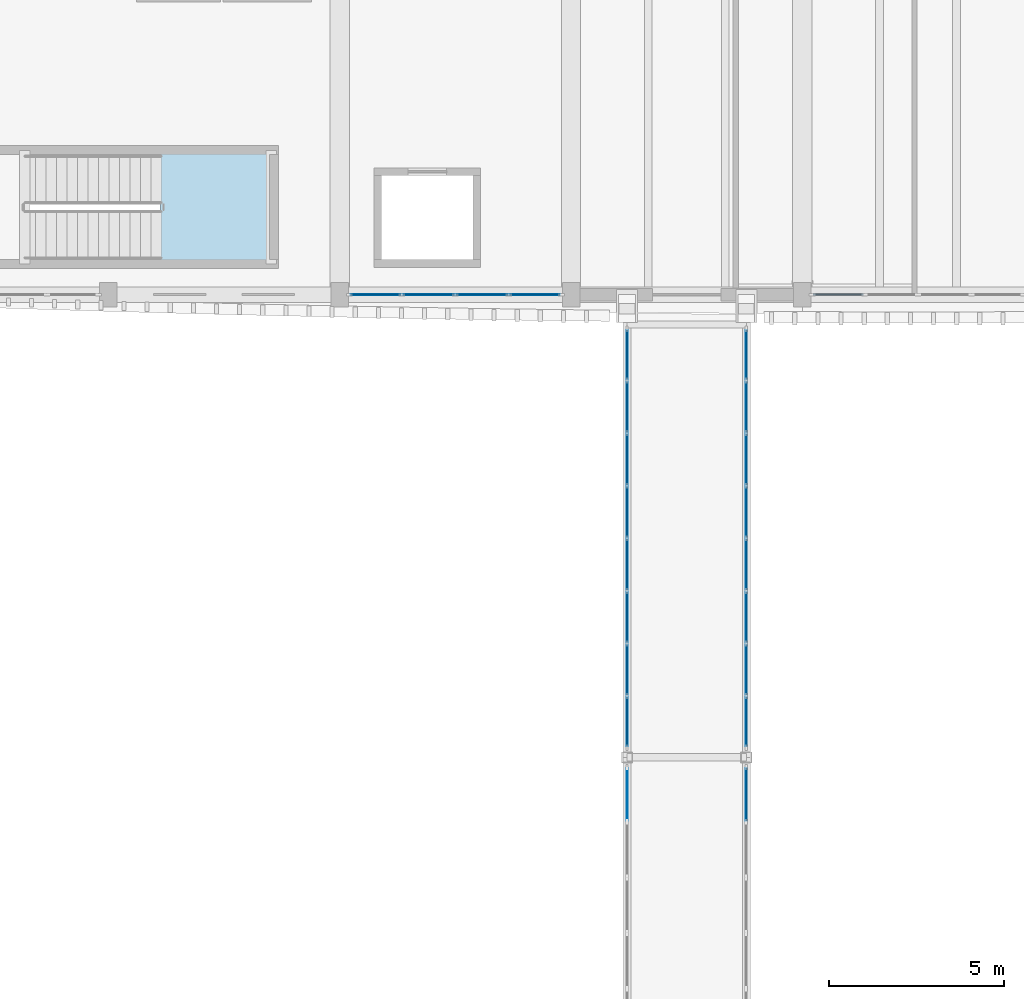
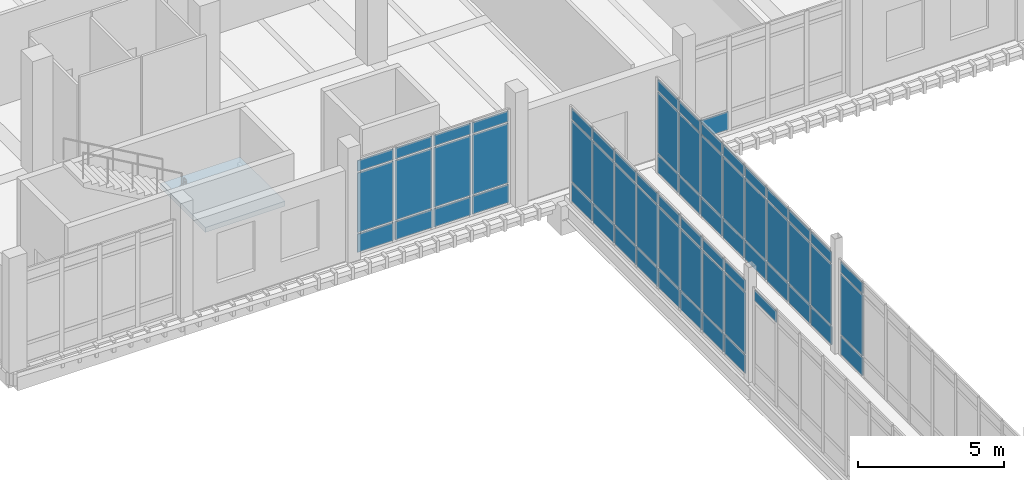
# One storey, part 77 of 125: 65 plates, 1 slab, 7 elements without a shape of their own.
"""IFC4 building model written with IfcOpenShell, lengths in metres."""

from ifc_helpers import new_model, si_unit, direction, frame, origin, origin_2d, place, context, subcontext, project, spatial, polyline, rectangle, outline, extrude, material, layer, layer_set, type_object, element, aggregate, save


model = new_model("IFC4")

# Units and contexts
model_context = context("Model", 3, precision=1e-05, world=origin(), true_north=direction((0.0, 1.0)))
body_context = subcontext(model_context, "Body", "Model", "MODEL_VIEW")
ifc_project = project(units=[si_unit("LENGTHUNIT", "METRE"), si_unit("AREAUNIT", "SQUARE_METRE"), si_unit("VOLUMEUNIT", "CUBIC_METRE"), si_unit("PLANEANGLEUNIT", "RADIAN"), si_unit("MASSUNIT", "GRAM", prefix="KILO")], contexts=[model_context])

# Site, building, storey
site_placement = place(None, origin())
site = spatial("IfcSite", under=ifc_project, at=site_placement, CompositionType="ELEMENT")
building_placement = place(site_placement, origin())
building = spatial("IfcBuilding", under=site, at=building_placement, Name="Dornvale Research Institute", CompositionType="ELEMENT")
storey_placement = place(building_placement, frame((0.0, 0.0, 5.39990234375)))
storey = spatial("IfcBuildingStorey", under=building, at=storey_placement, Name="L01", CompositionType="ELEMENT", Elevation=5.39990234375)

# Curtain wall, plate
ifc_material_1 = material(Name="Low-E Argon Double Insulating Glazing Unit", Category="glass")
curtain_wall_type_1 = type_object("IfcCurtainWallType", Name="UnitisedCurtainWall_V4_6100x3950", PredefinedType="USERDEFINED", material=ifc_material_1)
curtain_wall_1_placement = place(storey_placement, origin())
curtain_wall_1 = element("IfcCurtainWall", 1, at=curtain_wall_1_placement, inside=storey, type_object=curtain_wall_type_1, Name="L01 V4 unitised curtain wall CW-11 #79", ObjectType="UNITISED CURTAIN WALL", PredefinedType="USERDEFINED")
ifc_material_2 = material(Name="Insulated Ceramic-Frit Spandrel Glass Panel", Category="glass")
ifc_layer_1 = layer(ifc_material_2, 0.0419921875)
ifc_layer_set_1 = layer_set([ifc_layer_1], Name="Insulated Ceramic-Frit Spandrel Glass Panel")
plate_type_1 = type_object("IfcPlateType", Name="CurtainPanel_Spandrel_42", PredefinedType="CURTAIN_PANEL", material=ifc_layer_set_1)
plate_1_placement = place(storey_placement, frame((146.228759765625, 92.39990234375, 0.065185546875), z_axis=(0.0, 0.0, 1.0), x_axis=(-1.0, 0.0, 0.0)))
plate_1 = element("IfcPlate", 2, at=plate_1_placement, type_object=plate_type_1, Name="CW-11 panel 4.1", PredefinedType="CURTAIN_PANEL", context=body_context, shape_type="SweptSolid", body=[
    extrude(rectangle(XDim=1.427490234375, YDim=0.0419921875, at=origin_2d()), origin(), (0.0, 0.0, 1.0), 0.75244140625),
])
aggregate(curtain_wall_1, [plate_1])

# Curtain wall, plates
curtain_wall_2_placement = place(storey_placement, origin())
curtain_wall_2 = element("IfcCurtainWall", 3, at=curtain_wall_2_placement, inside=storey, type_object=curtain_wall_type_1, Name="L01 V4 unitised curtain wall CW-11 #80", ObjectType="UNITISED CURTAIN WALL", PredefinedType="USERDEFINED")
plate_2_placement = place(storey_placement, frame((137.5712890625, 92.39990234375, 0.065185546875), z_axis=(0.0, 0.0, 1.0), x_axis=(-1.0, 0.0, 0.0)))
plate_2 = element("IfcPlate", 4, at=plate_2_placement, type_object=plate_type_1, Name="CW-11 panel 1.1", PredefinedType="CURTAIN_PANEL", context=body_context, shape_type="SweptSolid", body=[
    extrude(rectangle(XDim=1.427490234375, YDim=0.0419921875, at=origin_2d()), origin(), (0.0, 0.0, 1.0), 0.75244140625),
])
plate_3_placement = place(storey_placement, frame((136.0625, 92.39990234375, 0.065185546875), z_axis=(0.0, 0.0, 1.0), x_axis=(-1.0, 0.0, 0.0)))
plate_3 = element("IfcPlate", 5, at=plate_3_placement, type_object=plate_type_1, Name="CW-11 panel 2.1", PredefinedType="CURTAIN_PANEL", context=body_context, shape_type="SweptSolid", body=[
    extrude(rectangle(XDim=1.4599609375, YDim=0.0419921875, at=origin_2d()), origin(), (0.0, 0.0, 1.0), 0.75244140625),
])
plate_4_placement = place(storey_placement, frame((134.53759765625, 92.39990234375, 0.065185546875), z_axis=(0.0, 0.0, 1.0), x_axis=(-1.0, 0.0, 0.0)))
plate_4 = element("IfcPlate", 6, at=plate_4_placement, type_object=plate_type_1, Name="CW-11 panel 3.1", PredefinedType="CURTAIN_PANEL", context=body_context, shape_type="SweptSolid", body=[
    extrude(rectangle(XDim=1.4599609375, YDim=0.0419921875, at=origin_2d()), origin(), (0.0, 0.0, 1.0), 0.75244140625),
])
plate_5_placement = place(storey_placement, frame((133.02880859375, 92.39990234375, 0.065185546875), z_axis=(0.0, 0.0, 1.0), x_axis=(-1.0, 0.0, 0.0)))
plate_5 = element("IfcPlate", 7, at=plate_5_placement, type_object=plate_type_1, Name="CW-11 panel 4.1", PredefinedType="CURTAIN_PANEL", context=body_context, shape_type="SweptSolid", body=[
    extrude(rectangle(XDim=1.427490234375, YDim=0.0419921875, at=origin_2d()), origin(), (0.0, 0.0, 1.0), 0.75244140625),
])

# Curtain wall, plate
ifc_material_3 = material(Name="Low-E Argon Double Insulating Glazing Unit", Category="glass")
curtain_wall_type_2 = type_object("IfcCurtainWallType", Name="UnitisedCurtainWall_V2_12700x4000", PredefinedType="USERDEFINED", material=ifc_material_3)
curtain_wall_3_placement = place(storey_placement, origin())
curtain_wall_3 = element("IfcCurtainWall", 8, at=curtain_wall_3_placement, inside=storey, type_object=curtain_wall_type_2, Name="L01 V2 unitised curtain wall CW-42 #238", ObjectType="UNITISED CURTAIN WALL", PredefinedType="USERDEFINED")
plate_6_placement = place(storey_placement, frame((143.60009765625, 78.139892578125, 0.065185546875), z_axis=(0.0, 0.0, 1.0), x_axis=(0.0, -1.0, 0.0)))
plate_6 = element("IfcPlate", 9, at=plate_6_placement, type_object=plate_type_1, Name="CW-42 panel 1.1", PredefinedType="CURTAIN_PANEL", context=body_context, shape_type="SweptSolid", body=[
    extrude(rectangle(XDim=1.489990234375, YDim=0.0419921875, at=origin_2d()), origin(), (0.0, 0.0, 1.0), 0.75244140625),
])

# Curtain wall, plates
ifc_material_4 = material(Name="Low-E Argon Double Insulating Glazing Unit", Category="glass")
curtain_wall_type_3 = type_object("IfcCurtainWallType", Name="UnitisedCurtainWall_V2_12000x4000", PredefinedType="USERDEFINED", material=ifc_material_4)
curtain_wall_4_placement = place(storey_placement, origin())
curtain_wall_4 = element("IfcCurtainWall", 10, at=curtain_wall_4_placement, inside=storey, type_object=curtain_wall_type_3, Name="L01 V2 unitised curtain wall CW-44 #239", ObjectType="UNITISED CURTAIN WALL", PredefinedType="USERDEFINED")
plate_7_placement = place(storey_placement, frame((140.199951171875, 80.21630859375, 0.065185546875), z_axis=(0.0, 0.0, 1.0), x_axis=(0.0, 1.0, 0.0)))
plate_7 = element("IfcPlate", 11, at=plate_7_placement, type_object=plate_type_1, Name="CW-44 panel 1.1", PredefinedType="CURTAIN_PANEL", context=body_context, shape_type="SweptSolid", body=[
    extrude(rectangle(XDim=1.402587890625, YDim=0.0419921875, at=origin_2d()), origin(), (0.0, 0.0, 1.0), 0.75244140625),
])
plate_8_placement = place(storey_placement, frame((140.199951171875, 81.699951171875, 0.065185546875), z_axis=(0.0, 0.0, 1.0), x_axis=(0.0, 1.0, 0.0)))
plate_8 = element("IfcPlate", 12, at=plate_8_placement, type_object=plate_type_1, Name="CW-44 panel 2.1", PredefinedType="CURTAIN_PANEL", context=body_context, shape_type="SweptSolid", body=[
    extrude(rectangle(XDim=1.43505859375, YDim=0.0419921875, at=origin_2d()), origin(), (0.0, 0.0, 1.0), 0.75244140625),
])
plate_9_placement = place(storey_placement, frame((140.199951171875, 83.199951171875, 0.065185546875), z_axis=(0.0, 0.0, 1.0), x_axis=(0.0, 1.0, 0.0)))
plate_9 = element("IfcPlate", 13, at=plate_9_placement, type_object=plate_type_1, Name="CW-44 panel 3.1", PredefinedType="CURTAIN_PANEL", context=body_context, shape_type="SweptSolid", body=[
    extrude(rectangle(XDim=1.43505859375, YDim=0.0419921875, at=origin_2d()), origin(), (0.0, 0.0, 1.0), 0.75244140625),
])
plate_10_placement = place(storey_placement, frame((140.199951171875, 84.699951171875, 0.065185546875), z_axis=(0.0, 0.0, 1.0), x_axis=(0.0, 1.0, 0.0)))
plate_10 = element("IfcPlate", 14, at=plate_10_placement, type_object=plate_type_1, Name="CW-44 panel 4.1", PredefinedType="CURTAIN_PANEL", context=body_context, shape_type="SweptSolid", body=[
    extrude(rectangle(XDim=1.43505859375, YDim=0.0419921875, at=origin_2d()), origin(), (0.0, 0.0, 1.0), 0.75244140625),
])
plate_11_placement = place(storey_placement, frame((140.199951171875, 86.199951171875, 0.065185546875), z_axis=(0.0, 0.0, 1.0), x_axis=(0.0, 1.0, 0.0)))
plate_11 = element("IfcPlate", 15, at=plate_11_placement, type_object=plate_type_1, Name="CW-44 panel 5.1", PredefinedType="CURTAIN_PANEL", context=body_context, shape_type="SweptSolid", body=[
    extrude(rectangle(XDim=1.43505859375, YDim=0.0419921875, at=origin_2d()), origin(), (0.0, 0.0, 1.0), 0.75244140625),
])
plate_12_placement = place(storey_placement, frame((140.199951171875, 87.699951171875, 0.065185546875), z_axis=(0.0, 0.0, 1.0), x_axis=(0.0, 1.0, 0.0)))
plate_12 = element("IfcPlate", 16, at=plate_12_placement, type_object=plate_type_1, Name="CW-44 panel 6.1", PredefinedType="CURTAIN_PANEL", context=body_context, shape_type="SweptSolid", body=[
    extrude(rectangle(XDim=1.43505859375, YDim=0.0419921875, at=origin_2d()), origin(), (0.0, 0.0, 1.0), 0.75244140625),
])
plate_13_placement = place(storey_placement, frame((140.199951171875, 89.199951171875, 0.065185546875), z_axis=(0.0, 0.0, 1.0), x_axis=(0.0, 1.0, 0.0)))
plate_13 = element("IfcPlate", 17, at=plate_13_placement, type_object=plate_type_1, Name="CW-44 panel 7.1", PredefinedType="CURTAIN_PANEL", context=body_context, shape_type="SweptSolid", body=[
    extrude(rectangle(XDim=1.43505859375, YDim=0.0419921875, at=origin_2d()), origin(), (0.0, 0.0, 1.0), 0.75244140625),
])
plate_14_placement = place(storey_placement, frame((140.199951171875, 90.683837890625, 0.065185546875), z_axis=(0.0, 0.0, 1.0), x_axis=(0.0, 1.0, 0.0)))
plate_14 = element("IfcPlate", 18, at=plate_14_placement, type_object=plate_type_1, Name="CW-44 panel 8.1", PredefinedType="CURTAIN_PANEL", context=body_context, shape_type="SweptSolid", body=[
    extrude(rectangle(XDim=1.402587890625, YDim=0.0419921875, at=origin_2d()), origin(), (0.0, 0.0, 1.0), 0.75244140625),
])

curtain_wall_5_placement = place(storey_placement, origin())
curtain_wall_5 = element("IfcCurtainWall", 19, at=curtain_wall_5_placement, inside=storey, type_object=curtain_wall_type_3, Name="L01 V2 unitised curtain wall CW-44 #240", ObjectType="UNITISED CURTAIN WALL", PredefinedType="USERDEFINED")
plate_15_placement = place(storey_placement, frame((143.60009765625, 90.683837890625, 0.065185546875), z_axis=(0.0, 0.0, 1.0), x_axis=(0.0, -1.0, 0.0)))
plate_15 = element("IfcPlate", 20, at=plate_15_placement, type_object=plate_type_1, Name="CW-44 panel 1.1", PredefinedType="CURTAIN_PANEL", context=body_context, shape_type="SweptSolid", body=[
    extrude(rectangle(XDim=1.402587890625, YDim=0.0419921875, at=origin_2d()), origin(), (0.0, 0.0, 1.0), 0.75244140625),
])
plate_16_placement = place(storey_placement, frame((143.60009765625, 89.199951171875, 0.065185546875), z_axis=(0.0, 0.0, 1.0), x_axis=(0.0, -1.0, 0.0)))
plate_16 = element("IfcPlate", 21, at=plate_16_placement, type_object=plate_type_1, Name="CW-44 panel 2.1", PredefinedType="CURTAIN_PANEL", context=body_context, shape_type="SweptSolid", body=[
    extrude(rectangle(XDim=1.43505859375, YDim=0.0419921875, at=origin_2d()), origin(), (0.0, 0.0, 1.0), 0.75244140625),
])
plate_17_placement = place(storey_placement, frame((143.60009765625, 87.699951171875, 0.065185546875), z_axis=(0.0, 0.0, 1.0), x_axis=(0.0, -1.0, 0.0)))
plate_17 = element("IfcPlate", 22, at=plate_17_placement, type_object=plate_type_1, Name="CW-44 panel 3.1", PredefinedType="CURTAIN_PANEL", context=body_context, shape_type="SweptSolid", body=[
    extrude(rectangle(XDim=1.43505859375, YDim=0.0419921875, at=origin_2d()), origin(), (0.0, 0.0, 1.0), 0.75244140625),
])
plate_18_placement = place(storey_placement, frame((143.60009765625, 86.199951171875, 0.065185546875), z_axis=(0.0, 0.0, 1.0), x_axis=(0.0, -1.0, 0.0)))
plate_18 = element("IfcPlate", 23, at=plate_18_placement, type_object=plate_type_1, Name="CW-44 panel 4.1", PredefinedType="CURTAIN_PANEL", context=body_context, shape_type="SweptSolid", body=[
    extrude(rectangle(XDim=1.43505859375, YDim=0.0419921875, at=origin_2d()), origin(), (0.0, 0.0, 1.0), 0.75244140625),
])
plate_19_placement = place(storey_placement, frame((143.60009765625, 84.699951171875, 0.065185546875), z_axis=(0.0, 0.0, 1.0), x_axis=(0.0, -1.0, 0.0)))
plate_19 = element("IfcPlate", 24, at=plate_19_placement, type_object=plate_type_1, Name="CW-44 panel 5.1", PredefinedType="CURTAIN_PANEL", context=body_context, shape_type="SweptSolid", body=[
    extrude(rectangle(XDim=1.43505859375, YDim=0.0419921875, at=origin_2d()), origin(), (0.0, 0.0, 1.0), 0.75244140625),
])
plate_20_placement = place(storey_placement, frame((143.60009765625, 83.199951171875, 0.065185546875), z_axis=(0.0, 0.0, 1.0), x_axis=(0.0, -1.0, 0.0)))
plate_20 = element("IfcPlate", 25, at=plate_20_placement, type_object=plate_type_1, Name="CW-44 panel 6.1", PredefinedType="CURTAIN_PANEL", context=body_context, shape_type="SweptSolid", body=[
    extrude(rectangle(XDim=1.43505859375, YDim=0.0419921875, at=origin_2d()), origin(), (0.0, 0.0, 1.0), 0.75244140625),
])
plate_21_placement = place(storey_placement, frame((143.60009765625, 81.699951171875, 0.065185546875), z_axis=(0.0, 0.0, 1.0), x_axis=(0.0, -1.0, 0.0)))
plate_21 = element("IfcPlate", 26, at=plate_21_placement, type_object=plate_type_1, Name="CW-44 panel 7.1", PredefinedType="CURTAIN_PANEL", context=body_context, shape_type="SweptSolid", body=[
    extrude(rectangle(XDim=1.43505859375, YDim=0.0419921875, at=origin_2d()), origin(), (0.0, 0.0, 1.0), 0.75244140625),
])
plate_22_placement = place(storey_placement, frame((143.60009765625, 80.21630859375, 0.065185546875), z_axis=(0.0, 0.0, 1.0), x_axis=(0.0, -1.0, 0.0)))
plate_22 = element("IfcPlate", 27, at=plate_22_placement, type_object=plate_type_1, Name="CW-44 panel 8.1", PredefinedType="CURTAIN_PANEL", context=body_context, shape_type="SweptSolid", body=[
    extrude(rectangle(XDim=1.402587890625, YDim=0.0419921875, at=origin_2d()), origin(), (0.0, 0.0, 1.0), 0.75244140625),
])

# Plate
ifc_material_5 = material(Name="Low-E Argon Double Insulating Glazing Unit", Category="glass")
ifc_layer_2 = layer(ifc_material_5, 0.028076171875)
ifc_layer_set_2 = layer_set([ifc_layer_2], Name="Low-E Argon Double Insulating Glazing Unit")
plate_type_2 = type_object("IfcPlateType", Name="CurtainPanel_Vision_28", PredefinedType="CURTAIN_PANEL", material=ifc_layer_set_2)
plate_23_placement = place(storey_placement, frame((137.5712890625, 92.39990234375, 0.88232421875), z_axis=(0.0, 0.0, 1.0), x_axis=(-1.0, 0.0, 0.0)))
plate_23 = element("IfcPlate", 28, at=plate_23_placement, type_object=plate_type_2, Name="CW-11 panel 1.2", PredefinedType="CURTAIN_PANEL", context=body_context, shape_type="SweptSolid", body=[
    extrude(rectangle(XDim=1.427490234375, YDim=0.028076171875, at=origin_2d()), origin(), (0.0, 0.0, 1.0), 2.485107421875),
])

plate_24_placement = place(storey_placement, frame((137.5712890625, 92.39990234375, 3.4326171875), z_axis=(0.0, 0.0, 1.0), x_axis=(-1.0, 0.0, 0.0)))
plate_24 = element("IfcPlate", 29, at=plate_24_placement, type_object=plate_type_2, Name="CW-11 panel 1.3", PredefinedType="CURTAIN_PANEL", context=body_context, shape_type="SweptSolid", body=[
    extrude(rectangle(XDim=1.427490234375, YDim=0.028076171875, at=origin_2d()), origin(), (0.0, 0.0, 1.0), 0.452392578125),
])

plate_25_placement = place(storey_placement, frame((136.0625, 92.39990234375, 0.88232421875), z_axis=(0.0, 0.0, 1.0), x_axis=(-1.0, 0.0, 0.0)))
plate_25 = element("IfcPlate", 30, at=plate_25_placement, type_object=plate_type_2, Name="CW-11 panel 2.2", PredefinedType="CURTAIN_PANEL", context=body_context, shape_type="SweptSolid", body=[
    extrude(rectangle(XDim=1.4599609375, YDim=0.028076171875, at=origin_2d()), origin(), (0.0, 0.0, 1.0), 2.485107421875),
])

plate_26_placement = place(storey_placement, frame((136.0625, 92.39990234375, 3.4326171875), z_axis=(0.0, 0.0, 1.0), x_axis=(-1.0, 0.0, 0.0)))
plate_26 = element("IfcPlate", 31, at=plate_26_placement, type_object=plate_type_2, Name="CW-11 panel 2.3", PredefinedType="CURTAIN_PANEL", context=body_context, shape_type="SweptSolid", body=[
    extrude(rectangle(XDim=1.4599609375, YDim=0.028076171875, at=origin_2d()), origin(), (0.0, 0.0, 1.0), 0.452392578125),
])

plate_27_placement = place(storey_placement, frame((134.53759765625, 92.39990234375, 0.88232421875), z_axis=(0.0, 0.0, 1.0), x_axis=(-1.0, 0.0, 0.0)))
plate_27 = element("IfcPlate", 32, at=plate_27_placement, type_object=plate_type_2, Name="CW-11 panel 3.2", PredefinedType="CURTAIN_PANEL", context=body_context, shape_type="SweptSolid", body=[
    extrude(rectangle(XDim=1.4599609375, YDim=0.028076171875, at=origin_2d()), origin(), (0.0, 0.0, 1.0), 2.485107421875),
])

plate_28_placement = place(storey_placement, frame((134.53759765625, 92.39990234375, 3.4326171875), z_axis=(0.0, 0.0, 1.0), x_axis=(-1.0, 0.0, 0.0)))
plate_28 = element("IfcPlate", 33, at=plate_28_placement, type_object=plate_type_2, Name="CW-11 panel 3.3", PredefinedType="CURTAIN_PANEL", context=body_context, shape_type="SweptSolid", body=[
    extrude(rectangle(XDim=1.4599609375, YDim=0.028076171875, at=origin_2d()), origin(), (0.0, 0.0, 1.0), 0.452392578125),
])

plate_29_placement = place(storey_placement, frame((133.02880859375, 92.39990234375, 0.88232421875), z_axis=(0.0, 0.0, 1.0), x_axis=(-1.0, 0.0, 0.0)))
plate_29 = element("IfcPlate", 34, at=plate_29_placement, type_object=plate_type_2, Name="CW-11 panel 4.2", PredefinedType="CURTAIN_PANEL", context=body_context, shape_type="SweptSolid", body=[
    extrude(rectangle(XDim=1.427490234375, YDim=0.028076171875, at=origin_2d()), origin(), (0.0, 0.0, 1.0), 2.485107421875),
])

plate_30_placement = place(storey_placement, frame((133.02880859375, 92.39990234375, 3.4326171875), z_axis=(0.0, 0.0, 1.0), x_axis=(-1.0, 0.0, 0.0)))
plate_30 = element("IfcPlate", 35, at=plate_30_placement, type_object=plate_type_2, Name="CW-11 panel 4.3", PredefinedType="CURTAIN_PANEL", context=body_context, shape_type="SweptSolid", body=[
    extrude(rectangle(XDim=1.427490234375, YDim=0.028076171875, at=origin_2d()), origin(), (0.0, 0.0, 1.0), 0.452392578125),
])

aggregate(curtain_wall_2, [plate_2, plate_23, plate_24, plate_3, plate_25, plate_26, plate_4, plate_27, plate_28, plate_5, plate_29, plate_30])

# Curtain wall, plate
curtain_wall_6_placement = place(storey_placement, origin())
curtain_wall_6 = element("IfcCurtainWall", 36, at=curtain_wall_6_placement, inside=storey, type_object=curtain_wall_type_2, Name="L01 V2 unitised curtain wall CW-42 #237", ObjectType="UNITISED CURTAIN WALL", PredefinedType="USERDEFINED")
plate_31_placement = place(storey_placement, frame((140.199951171875, 78.139892578125, 3.482421875), z_axis=(0.0, 0.0, 1.0), x_axis=(0.0, 1.0, 0.0)))
plate_31 = element("IfcPlate", 37, at=plate_31_placement, type_object=plate_type_2, Name="CW-42 panel 8.3", PredefinedType="CURTAIN_PANEL", context=body_context, shape_type="SweptSolid", body=[
    extrude(rectangle(XDim=1.489990234375, YDim=0.028076171875, at=origin_2d()), origin(), (0.0, 0.0, 1.0), 0.452392578125),
])
aggregate(curtain_wall_6, [plate_31])

# Plate
plate_32_placement = place(storey_placement, frame((143.60009765625, 78.139892578125, 0.8828125), z_axis=(0.0, 0.0, 1.0), x_axis=(0.0, -1.0, 0.0)))
plate_32 = element("IfcPlate", 38, at=plate_32_placement, type_object=plate_type_2, Name="CW-42 panel 1.2", PredefinedType="CURTAIN_PANEL", context=body_context, shape_type="SweptSolid", body=[
    extrude(rectangle(XDim=1.489990234375, YDim=0.028076171875, at=origin_2d()), origin(), (0.0, 0.0, 1.0), 2.534912109375),
])

plate_33_placement = place(storey_placement, frame((143.60009765625, 78.139892578125, 3.482421875), z_axis=(0.0, 0.0, 1.0), x_axis=(0.0, -1.0, 0.0)))
plate_33 = element("IfcPlate", 39, at=plate_33_placement, type_object=plate_type_2, Name="CW-42 panel 1.3", PredefinedType="CURTAIN_PANEL", context=body_context, shape_type="SweptSolid", body=[
    extrude(rectangle(XDim=1.489990234375, YDim=0.028076171875, at=origin_2d()), origin(), (0.0, 0.0, 1.0), 0.452392578125),
])

aggregate(curtain_wall_3, [plate_6, plate_32, plate_33])

plate_34_placement = place(storey_placement, frame((140.199951171875, 80.21630859375, 0.8828125), z_axis=(0.0, 0.0, 1.0), x_axis=(0.0, 1.0, 0.0)))
plate_34 = element("IfcPlate", 40, at=plate_34_placement, type_object=plate_type_2, Name="CW-44 panel 1.2", PredefinedType="CURTAIN_PANEL", context=body_context, shape_type="SweptSolid", body=[
    extrude(rectangle(XDim=1.402587890625, YDim=0.028076171875, at=origin_2d()), origin(), (0.0, 0.0, 1.0), 2.534912109375),
])

plate_35_placement = place(storey_placement, frame((140.199951171875, 80.21630859375, 3.482421875), z_axis=(0.0, 0.0, 1.0), x_axis=(0.0, 1.0, 0.0)))
plate_35 = element("IfcPlate", 41, at=plate_35_placement, type_object=plate_type_2, Name="CW-44 panel 1.3", PredefinedType="CURTAIN_PANEL", context=body_context, shape_type="SweptSolid", body=[
    extrude(rectangle(XDim=1.402587890625, YDim=0.028076171875, at=origin_2d()), origin(), (0.0, 0.0, 1.0), 0.452392578125),
])

plate_36_placement = place(storey_placement, frame((140.199951171875, 81.699951171875, 0.8828125), z_axis=(0.0, 0.0, 1.0), x_axis=(0.0, 1.0, 0.0)))
plate_36 = element("IfcPlate", 42, at=plate_36_placement, type_object=plate_type_2, Name="CW-44 panel 2.2", PredefinedType="CURTAIN_PANEL", context=body_context, shape_type="SweptSolid", body=[
    extrude(rectangle(XDim=1.43505859375, YDim=0.028076171875, at=origin_2d()), origin(), (0.0, 0.0, 1.0), 2.534912109375),
])

plate_37_placement = place(storey_placement, frame((140.199951171875, 81.699951171875, 3.482421875), z_axis=(0.0, 0.0, 1.0), x_axis=(0.0, 1.0, 0.0)))
plate_37 = element("IfcPlate", 43, at=plate_37_placement, type_object=plate_type_2, Name="CW-44 panel 2.3", PredefinedType="CURTAIN_PANEL", context=body_context, shape_type="SweptSolid", body=[
    extrude(rectangle(XDim=1.43505859375, YDim=0.028076171875, at=origin_2d()), origin(), (0.0, 0.0, 1.0), 0.452392578125),
])

plate_38_placement = place(storey_placement, frame((140.199951171875, 83.199951171875, 0.8828125), z_axis=(0.0, 0.0, 1.0), x_axis=(0.0, 1.0, 0.0)))
plate_38 = element("IfcPlate", 44, at=plate_38_placement, type_object=plate_type_2, Name="CW-44 panel 3.2", PredefinedType="CURTAIN_PANEL", context=body_context, shape_type="SweptSolid", body=[
    extrude(rectangle(XDim=1.43505859375, YDim=0.028076171875, at=origin_2d()), origin(), (0.0, 0.0, 1.0), 2.534912109375),
])

plate_39_placement = place(storey_placement, frame((140.199951171875, 83.199951171875, 3.482421875), z_axis=(0.0, 0.0, 1.0), x_axis=(0.0, 1.0, 0.0)))
plate_39 = element("IfcPlate", 45, at=plate_39_placement, type_object=plate_type_2, Name="CW-44 panel 3.3", PredefinedType="CURTAIN_PANEL", context=body_context, shape_type="SweptSolid", body=[
    extrude(rectangle(XDim=1.43505859375, YDim=0.028076171875, at=origin_2d()), origin(), (0.0, 0.0, 1.0), 0.452392578125),
])

plate_40_placement = place(storey_placement, frame((140.199951171875, 84.699951171875, 0.8828125), z_axis=(0.0, 0.0, 1.0), x_axis=(0.0, 1.0, 0.0)))
plate_40 = element("IfcPlate", 46, at=plate_40_placement, type_object=plate_type_2, Name="CW-44 panel 4.2", PredefinedType="CURTAIN_PANEL", context=body_context, shape_type="SweptSolid", body=[
    extrude(rectangle(XDim=1.43505859375, YDim=0.028076171875, at=origin_2d()), origin(), (0.0, 0.0, 1.0), 2.534912109375),
])

plate_41_placement = place(storey_placement, frame((140.199951171875, 84.699951171875, 3.482421875), z_axis=(0.0, 0.0, 1.0), x_axis=(0.0, 1.0, 0.0)))
plate_41 = element("IfcPlate", 47, at=plate_41_placement, type_object=plate_type_2, Name="CW-44 panel 4.3", PredefinedType="CURTAIN_PANEL", context=body_context, shape_type="SweptSolid", body=[
    extrude(rectangle(XDim=1.43505859375, YDim=0.028076171875, at=origin_2d()), origin(), (0.0, 0.0, 1.0), 0.452392578125),
])

plate_42_placement = place(storey_placement, frame((140.199951171875, 86.199951171875, 0.8828125), z_axis=(0.0, 0.0, 1.0), x_axis=(0.0, 1.0, 0.0)))
plate_42 = element("IfcPlate", 48, at=plate_42_placement, type_object=plate_type_2, Name="CW-44 panel 5.2", PredefinedType="CURTAIN_PANEL", context=body_context, shape_type="SweptSolid", body=[
    extrude(rectangle(XDim=1.43505859375, YDim=0.028076171875, at=origin_2d()), origin(), (0.0, 0.0, 1.0), 2.534912109375),
])

plate_43_placement = place(storey_placement, frame((140.199951171875, 86.199951171875, 3.482421875), z_axis=(0.0, 0.0, 1.0), x_axis=(0.0, 1.0, 0.0)))
plate_43 = element("IfcPlate", 49, at=plate_43_placement, type_object=plate_type_2, Name="CW-44 panel 5.3", PredefinedType="CURTAIN_PANEL", context=body_context, shape_type="SweptSolid", body=[
    extrude(rectangle(XDim=1.43505859375, YDim=0.028076171875, at=origin_2d()), origin(), (0.0, 0.0, 1.0), 0.452392578125),
])

plate_44_placement = place(storey_placement, frame((140.199951171875, 87.699951171875, 0.8828125), z_axis=(0.0, 0.0, 1.0), x_axis=(0.0, 1.0, 0.0)))
plate_44 = element("IfcPlate", 50, at=plate_44_placement, type_object=plate_type_2, Name="CW-44 panel 6.2", PredefinedType="CURTAIN_PANEL", context=body_context, shape_type="SweptSolid", body=[
    extrude(rectangle(XDim=1.43505859375, YDim=0.028076171875, at=origin_2d()), origin(), (0.0, 0.0, 1.0), 2.534912109375),
])

plate_45_placement = place(storey_placement, frame((140.199951171875, 87.699951171875, 3.482421875), z_axis=(0.0, 0.0, 1.0), x_axis=(0.0, 1.0, 0.0)))
plate_45 = element("IfcPlate", 51, at=plate_45_placement, type_object=plate_type_2, Name="CW-44 panel 6.3", PredefinedType="CURTAIN_PANEL", context=body_context, shape_type="SweptSolid", body=[
    extrude(rectangle(XDim=1.43505859375, YDim=0.028076171875, at=origin_2d()), origin(), (0.0, 0.0, 1.0), 0.452392578125),
])

plate_46_placement = place(storey_placement, frame((140.199951171875, 89.199951171875, 0.8828125), z_axis=(0.0, 0.0, 1.0), x_axis=(0.0, 1.0, 0.0)))
plate_46 = element("IfcPlate", 52, at=plate_46_placement, type_object=plate_type_2, Name="CW-44 panel 7.2", PredefinedType="CURTAIN_PANEL", context=body_context, shape_type="SweptSolid", body=[
    extrude(rectangle(XDim=1.43505859375, YDim=0.028076171875, at=origin_2d()), origin(), (0.0, 0.0, 1.0), 2.534912109375),
])

plate_47_placement = place(storey_placement, frame((140.199951171875, 89.199951171875, 3.482421875), z_axis=(0.0, 0.0, 1.0), x_axis=(0.0, 1.0, 0.0)))
plate_47 = element("IfcPlate", 53, at=plate_47_placement, type_object=plate_type_2, Name="CW-44 panel 7.3", PredefinedType="CURTAIN_PANEL", context=body_context, shape_type="SweptSolid", body=[
    extrude(rectangle(XDim=1.43505859375, YDim=0.028076171875, at=origin_2d()), origin(), (0.0, 0.0, 1.0), 0.452392578125),
])

plate_48_placement = place(storey_placement, frame((140.199951171875, 90.683837890625, 0.8828125), z_axis=(0.0, 0.0, 1.0), x_axis=(0.0, 1.0, 0.0)))
plate_48 = element("IfcPlate", 54, at=plate_48_placement, type_object=plate_type_2, Name="CW-44 panel 8.2", PredefinedType="CURTAIN_PANEL", context=body_context, shape_type="SweptSolid", body=[
    extrude(rectangle(XDim=1.402587890625, YDim=0.028076171875, at=origin_2d()), origin(), (0.0, 0.0, 1.0), 2.534912109375),
])

plate_49_placement = place(storey_placement, frame((140.199951171875, 90.683837890625, 3.482421875), z_axis=(0.0, 0.0, 1.0), x_axis=(0.0, 1.0, 0.0)))
plate_49 = element("IfcPlate", 55, at=plate_49_placement, type_object=plate_type_2, Name="CW-44 panel 8.3", PredefinedType="CURTAIN_PANEL", context=body_context, shape_type="SweptSolid", body=[
    extrude(rectangle(XDim=1.402587890625, YDim=0.028076171875, at=origin_2d()), origin(), (0.0, 0.0, 1.0), 0.452392578125),
])

aggregate(curtain_wall_4, [plate_7, plate_34, plate_35, plate_8, plate_36, plate_37, plate_9, plate_38, plate_39, plate_10, plate_40, plate_41, plate_11, plate_42, plate_43, plate_12, plate_44, plate_45, plate_13, plate_46, plate_47, plate_14, plate_48, plate_49])

plate_50_placement = place(storey_placement, frame((143.60009765625, 90.683837890625, 0.8828125), z_axis=(0.0, 0.0, 1.0), x_axis=(0.0, -1.0, 0.0)))
plate_50 = element("IfcPlate", 56, at=plate_50_placement, type_object=plate_type_2, Name="CW-44 panel 1.2", PredefinedType="CURTAIN_PANEL", context=body_context, shape_type="SweptSolid", body=[
    extrude(rectangle(XDim=1.402587890625, YDim=0.028076171875, at=origin_2d()), origin(), (0.0, 0.0, 1.0), 2.534912109375),
])

plate_51_placement = place(storey_placement, frame((143.60009765625, 90.683837890625, 3.482421875), z_axis=(0.0, 0.0, 1.0), x_axis=(0.0, -1.0, 0.0)))
plate_51 = element("IfcPlate", 57, at=plate_51_placement, type_object=plate_type_2, Name="CW-44 panel 1.3", PredefinedType="CURTAIN_PANEL", context=body_context, shape_type="SweptSolid", body=[
    extrude(rectangle(XDim=1.402587890625, YDim=0.028076171875, at=origin_2d()), origin(), (0.0, 0.0, 1.0), 0.452392578125),
])

plate_52_placement = place(storey_placement, frame((143.60009765625, 89.199951171875, 0.8828125), z_axis=(0.0, 0.0, 1.0), x_axis=(0.0, -1.0, 0.0)))
plate_52 = element("IfcPlate", 58, at=plate_52_placement, type_object=plate_type_2, Name="CW-44 panel 2.2", PredefinedType="CURTAIN_PANEL", context=body_context, shape_type="SweptSolid", body=[
    extrude(rectangle(XDim=1.43505859375, YDim=0.028076171875, at=origin_2d()), origin(), (0.0, 0.0, 1.0), 2.534912109375),
])

plate_53_placement = place(storey_placement, frame((143.60009765625, 89.199951171875, 3.482421875), z_axis=(0.0, 0.0, 1.0), x_axis=(0.0, -1.0, 0.0)))
plate_53 = element("IfcPlate", 59, at=plate_53_placement, type_object=plate_type_2, Name="CW-44 panel 2.3", PredefinedType="CURTAIN_PANEL", context=body_context, shape_type="SweptSolid", body=[
    extrude(rectangle(XDim=1.43505859375, YDim=0.028076171875, at=origin_2d()), origin(), (0.0, 0.0, 1.0), 0.452392578125),
])

plate_54_placement = place(storey_placement, frame((143.60009765625, 87.699951171875, 0.8828125), z_axis=(0.0, 0.0, 1.0), x_axis=(0.0, -1.0, 0.0)))
plate_54 = element("IfcPlate", 60, at=plate_54_placement, type_object=plate_type_2, Name="CW-44 panel 3.2", PredefinedType="CURTAIN_PANEL", context=body_context, shape_type="SweptSolid", body=[
    extrude(rectangle(XDim=1.43505859375, YDim=0.028076171875, at=origin_2d()), origin(), (0.0, 0.0, 1.0), 2.534912109375),
])

plate_55_placement = place(storey_placement, frame((143.60009765625, 87.699951171875, 3.482421875), z_axis=(0.0, 0.0, 1.0), x_axis=(0.0, -1.0, 0.0)))
plate_55 = element("IfcPlate", 61, at=plate_55_placement, type_object=plate_type_2, Name="CW-44 panel 3.3", PredefinedType="CURTAIN_PANEL", context=body_context, shape_type="SweptSolid", body=[
    extrude(rectangle(XDim=1.43505859375, YDim=0.028076171875, at=origin_2d()), origin(), (0.0, 0.0, 1.0), 0.452392578125),
])

plate_56_placement = place(storey_placement, frame((143.60009765625, 86.199951171875, 0.8828125), z_axis=(0.0, 0.0, 1.0), x_axis=(0.0, -1.0, 0.0)))
plate_56 = element("IfcPlate", 62, at=plate_56_placement, type_object=plate_type_2, Name="CW-44 panel 4.2", PredefinedType="CURTAIN_PANEL", context=body_context, shape_type="SweptSolid", body=[
    extrude(rectangle(XDim=1.43505859375, YDim=0.028076171875, at=origin_2d()), origin(), (0.0, 0.0, 1.0), 2.534912109375),
])

plate_57_placement = place(storey_placement, frame((143.60009765625, 86.199951171875, 3.482421875), z_axis=(0.0, 0.0, 1.0), x_axis=(0.0, -1.0, 0.0)))
plate_57 = element("IfcPlate", 63, at=plate_57_placement, type_object=plate_type_2, Name="CW-44 panel 4.3", PredefinedType="CURTAIN_PANEL", context=body_context, shape_type="SweptSolid", body=[
    extrude(rectangle(XDim=1.43505859375, YDim=0.028076171875, at=origin_2d()), origin(), (0.0, 0.0, 1.0), 0.452392578125),
])

plate_58_placement = place(storey_placement, frame((143.60009765625, 84.699951171875, 0.8828125), z_axis=(0.0, 0.0, 1.0), x_axis=(0.0, -1.0, 0.0)))
plate_58 = element("IfcPlate", 64, at=plate_58_placement, type_object=plate_type_2, Name="CW-44 panel 5.2", PredefinedType="CURTAIN_PANEL", context=body_context, shape_type="SweptSolid", body=[
    extrude(rectangle(XDim=1.43505859375, YDim=0.028076171875, at=origin_2d()), origin(), (0.0, 0.0, 1.0), 2.534912109375),
])

plate_59_placement = place(storey_placement, frame((143.60009765625, 84.699951171875, 3.482421875), z_axis=(0.0, 0.0, 1.0), x_axis=(0.0, -1.0, 0.0)))
plate_59 = element("IfcPlate", 65, at=plate_59_placement, type_object=plate_type_2, Name="CW-44 panel 5.3", PredefinedType="CURTAIN_PANEL", context=body_context, shape_type="SweptSolid", body=[
    extrude(rectangle(XDim=1.43505859375, YDim=0.028076171875, at=origin_2d()), origin(), (0.0, 0.0, 1.0), 0.452392578125),
])

plate_60_placement = place(storey_placement, frame((143.60009765625, 83.199951171875, 0.8828125), z_axis=(0.0, 0.0, 1.0), x_axis=(0.0, -1.0, 0.0)))
plate_60 = element("IfcPlate", 66, at=plate_60_placement, type_object=plate_type_2, Name="CW-44 panel 6.2", PredefinedType="CURTAIN_PANEL", context=body_context, shape_type="SweptSolid", body=[
    extrude(rectangle(XDim=1.43505859375, YDim=0.028076171875, at=origin_2d()), origin(), (0.0, 0.0, 1.0), 2.534912109375),
])

plate_61_placement = place(storey_placement, frame((143.60009765625, 83.199951171875, 3.482421875), z_axis=(0.0, 0.0, 1.0), x_axis=(0.0, -1.0, 0.0)))
plate_61 = element("IfcPlate", 67, at=plate_61_placement, type_object=plate_type_2, Name="CW-44 panel 6.3", PredefinedType="CURTAIN_PANEL", context=body_context, shape_type="SweptSolid", body=[
    extrude(rectangle(XDim=1.43505859375, YDim=0.028076171875, at=origin_2d()), origin(), (0.0, 0.0, 1.0), 0.452392578125),
])

plate_62_placement = place(storey_placement, frame((143.60009765625, 81.699951171875, 0.8828125), z_axis=(0.0, 0.0, 1.0), x_axis=(0.0, -1.0, 0.0)))
plate_62 = element("IfcPlate", 68, at=plate_62_placement, type_object=plate_type_2, Name="CW-44 panel 7.2", PredefinedType="CURTAIN_PANEL", context=body_context, shape_type="SweptSolid", body=[
    extrude(rectangle(XDim=1.43505859375, YDim=0.028076171875, at=origin_2d()), origin(), (0.0, 0.0, 1.0), 2.534912109375),
])

plate_63_placement = place(storey_placement, frame((143.60009765625, 81.699951171875, 3.482421875), z_axis=(0.0, 0.0, 1.0), x_axis=(0.0, -1.0, 0.0)))
plate_63 = element("IfcPlate", 69, at=plate_63_placement, type_object=plate_type_2, Name="CW-44 panel 7.3", PredefinedType="CURTAIN_PANEL", context=body_context, shape_type="SweptSolid", body=[
    extrude(rectangle(XDim=1.43505859375, YDim=0.028076171875, at=origin_2d()), origin(), (0.0, 0.0, 1.0), 0.452392578125),
])

plate_64_placement = place(storey_placement, frame((143.60009765625, 80.21630859375, 0.8828125), z_axis=(0.0, 0.0, 1.0), x_axis=(0.0, -1.0, 0.0)))
plate_64 = element("IfcPlate", 70, at=plate_64_placement, type_object=plate_type_2, Name="CW-44 panel 8.2", PredefinedType="CURTAIN_PANEL", context=body_context, shape_type="SweptSolid", body=[
    extrude(rectangle(XDim=1.402587890625, YDim=0.028076171875, at=origin_2d()), origin(), (0.0, 0.0, 1.0), 2.534912109375),
])

plate_65_placement = place(storey_placement, frame((143.60009765625, 80.21630859375, 3.482421875), z_axis=(0.0, 0.0, 1.0), x_axis=(0.0, -1.0, 0.0)))
plate_65 = element("IfcPlate", 71, at=plate_65_placement, type_object=plate_type_2, Name="CW-44 panel 8.3", PredefinedType="CURTAIN_PANEL", context=body_context, shape_type="SweptSolid", body=[
    extrude(rectangle(XDim=1.402587890625, YDim=0.028076171875, at=origin_2d()), origin(), (0.0, 0.0, 1.0), 0.452392578125),
])

aggregate(curtain_wall_5, [plate_15, plate_50, plate_51, plate_16, plate_52, plate_53, plate_17, plate_54, plate_55, plate_18, plate_56, plate_57, plate_19, plate_58, plate_59, plate_20, plate_60, plate_61, plate_21, plate_62, plate_63, plate_22, plate_64, plate_65])

# Stair, slab
ifc_material_6 = material(Name="Concrete f'c 45 MPa (C35/45)", Category="concrete")
stair_type = type_object("IfcStairType", Name="HalfTurnStair_RC", PredefinedType="HALF_TURN_STAIR", material=ifc_material_6)
stair_placement = place(storey_placement, origin())
stair = element("IfcStair", 72, at=stair_placement, inside=storey, type_object=stair_type, Name="L01 Exit stair ST-3", PredefinedType="HALF_TURN_STAIR")
ifc_material_7 = material(Name="Concrete f'c 45 MPa (C35/45)", Category="concrete")
ifc_layer_3 = layer(ifc_material_7, 0.199951171875)
ifc_layer_set_3 = layer_set([ifc_layer_3], Name="Concrete f'c 45 MPa (C35/45)")
slab_type = type_object("IfcSlabType", Name="Landing_Stair_200", PredefinedType="LANDING", material=ifc_layer_set_3)
slab_placement = place(storey_placement, frame((0.0, 0.0, 2.2001953125)))
slab = element("IfcSlab", 73, at=slab_placement, type_object=slab_type, Name="ST-3 landing 1", PredefinedType="LANDING", context=body_context, shape_type="SweptSolid", body=[
    extrude(outline(polyline([(126.889892578125, 93.3701171875), (126.889892578125, 96.429931640625), (130.030029296875, 96.429931640625), (130.030029296875, 93.3701171875), (126.889892578125, 93.3701171875)])), origin(), (0.0, 0.0, 1.0), 0.199951171875),
])
aggregate(stair, [slab])

save(model, "model.ifc")
